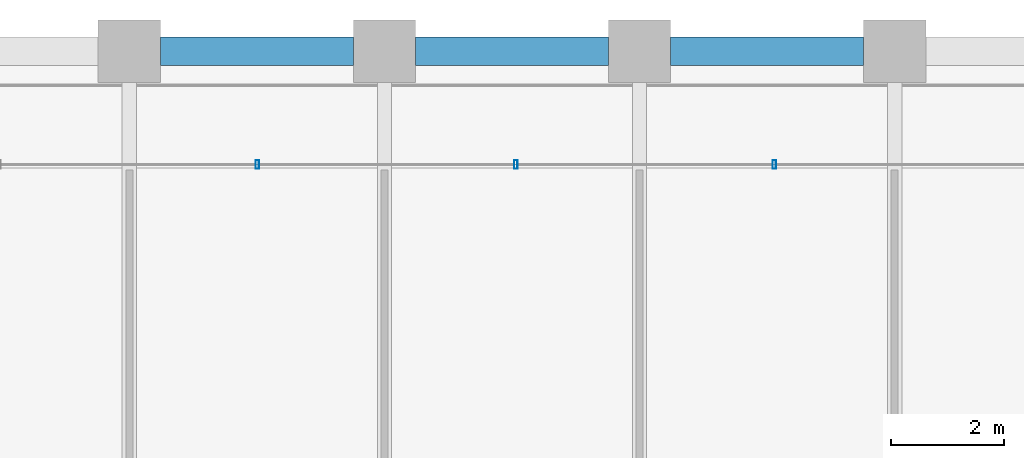
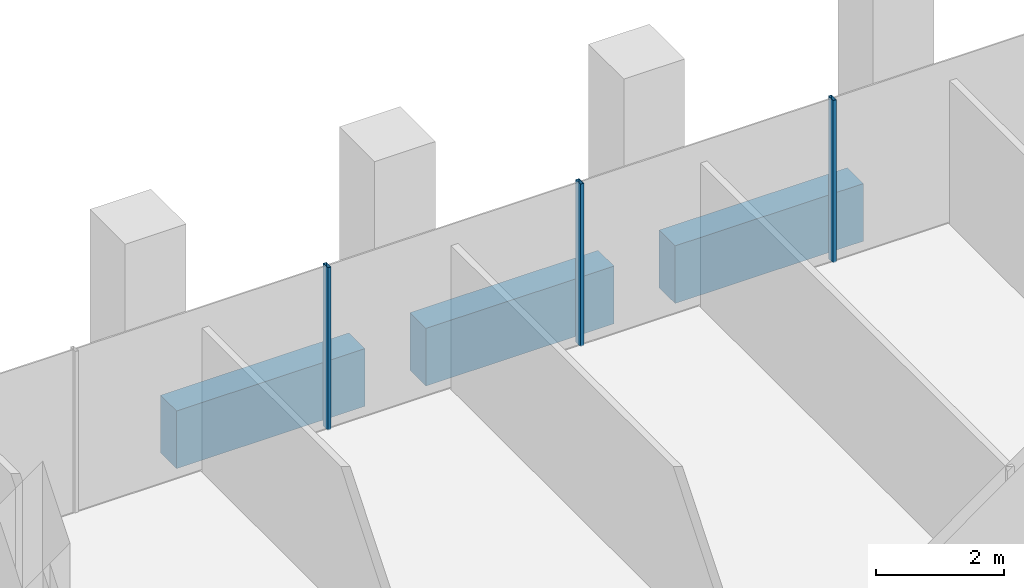
# One storey, part 29 of 56: 3 beams, 3 members, 1 element without a shape of its own.
"""IFC4 building model written with IfcOpenShell, lengths in metres."""

from ifc_helpers import new_model, si_unit, direction, frame, origin, origin_2d, place, context, subcontext, project, spatial, rectangle, hollow_rectangle, extrude, material, material_profile, profile_set, type_object, element, aggregate, save


model = new_model("IFC4")

# Units and contexts
model_context = context("Model", 3, precision=1e-05, world=origin(), true_north=direction((0.0, 1.0)))
body_context = subcontext(model_context, "Body", "Model", "MODEL_VIEW")
ifc_project = project(units=[si_unit("LENGTHUNIT", "METRE"), si_unit("AREAUNIT", "SQUARE_METRE"), si_unit("VOLUMEUNIT", "CUBIC_METRE"), si_unit("PLANEANGLEUNIT", "RADIAN"), si_unit("MASSUNIT", "GRAM", prefix="KILO")], contexts=[model_context])

# Site, building, storey
site_placement = place(None, origin())
site = spatial("IfcSite", under=ifc_project, at=site_placement, CompositionType="ELEMENT")
building_placement = place(site_placement, origin())
building = spatial("IfcBuilding", under=site, at=building_placement, Name="Altepetl Exchange Towers", CompositionType="ELEMENT")
storey_placement = place(building_placement, frame((0.0, 0.0, 69.0)))
storey = spatial("IfcBuildingStorey", under=building, at=storey_placement, Name="L16", CompositionType="ELEMENT", Elevation=69.0)

# Curtain wall, members
ifc_material_1 = material(Name="Aluminium 6063-T6 glazing", Category="aluminium")
curtain_wall_type = type_object("IfcCurtainWallType", Name="Loggia glazing system", PredefinedType="NOTDEFINED", material=ifc_material_1)
curtain_wall_placement = place(storey_placement, origin())
curtain_wall = element("IfcCurtainWall", 1, at=curtain_wall_placement, inside=storey, type_object=curtain_wall_type, Name="CW1 run", PredefinedType="NOTDEFINED")
ifc_material_2 = material(Name="Aluminium 6063-T6", Category="aluminium")
ifc_material_profile_1 = material_profile(ifc_material_2, hollow_rectangle(XDim=0.06005859375, YDim=0.14990234375, WallThickness=0.0029296875, at=origin_2d()), Name="Mullion 60x150 aluminium")
ifc_profile_set_1 = profile_set([ifc_material_profile_1], Name="Aluminium 6063-T6")
member_type = type_object("IfcMemberType", Name="Mullion 60x150 aluminium", PredefinedType="MULLION", material=ifc_profile_set_1)
member_1_placement = place(storey_placement, frame((56.378662109375, 70.0, 0.0), z_axis=(0.0, 0.0, 1.0), x_axis=(-1.0, 0.0, 0.0)))
member_1 = element("IfcMember", 2, at=member_1_placement, type_object=member_type, Name="MU1 mullion", PredefinedType="MULLION", context=body_context, shape_type="SweptSolid", body=[
    extrude(hollow_rectangle(XDim=0.06005859375, YDim=0.14990234375, WallThickness=0.0029296875, at=origin_2d()), origin(), (0.0, 0.0, 1.0), 3.10009765625),
])
member_2_placement = place(storey_placement, frame((51.81787109375, 70.0, 0.0), z_axis=(0.0, 0.0, 1.0), x_axis=(-1.0, 0.0, 0.0)))
member_2 = element("IfcMember", 3, at=member_2_placement, type_object=member_type, Name="MU1 mullion", PredefinedType="MULLION", context=body_context, shape_type="SweptSolid", body=[
    extrude(hollow_rectangle(XDim=0.06005859375, YDim=0.14990234375, WallThickness=0.0029296875, at=origin_2d()), origin(), (0.0, 0.0, 1.0), 3.10009765625),
])
member_3_placement = place(storey_placement, frame((47.257080078125, 70.0, 0.0), z_axis=(0.0, 0.0, 1.0), x_axis=(-1.0, 0.0, 0.0)))
member_3 = element("IfcMember", 4, at=member_3_placement, type_object=member_type, Name="MU1 mullion", PredefinedType="MULLION", context=body_context, shape_type="SweptSolid", body=[
    extrude(hollow_rectangle(XDim=0.06005859375, YDim=0.14990234375, WallThickness=0.0029296875, at=origin_2d()), origin(), (0.0, 0.0, 1.0), 3.10009765625),
])
aggregate(curtain_wall, [member_1, member_2, member_3])

# Beams
ifc_material_3 = material(Name="Concrete C50/60 precast with cantera rosa facing", Category="concrete")
ifc_material_profile_2 = material_profile(ifc_material_3, rectangle(XDim=0.5, YDim=1.10009765625, at=origin_2d()), Name="500 x 1100")
ifc_profile_set_2 = profile_set([ifc_material_profile_2], Name="Concrete C50/60 precast with cantera rosa facing")
beam_type = type_object("IfcBeamType", Name="Spandrel beam 500x1100 cantera rosa", PredefinedType="SPANDREL", material=ifc_profile_set_2)
for number, where, z_axis, x_axis, name in (
    (5, (57.949951171875, 72.0, -0.699951171875), (-1.0, 0.0, 0.0), (0.0, -1.0, 0.0), "sp:A:L16:026"),
    (6, (53.449951171875, 72.0, -0.699951171875), (-1.0, 0.0, 0.0), (0.0, -1.0, 0.0), "sp:A:L16:027"),
    (7, (48.949951171875, 72.0, -0.699951171875), (-1.0, 0.0, 0.0), (0.0, -1.0, 0.0), "sp:A:L16:028"),
):
    element("IfcBeam", number, at=place(storey_placement, frame(where, z_axis=z_axis, x_axis=x_axis)), inside=storey, type_object=beam_type, Name=name, PredefinedType="SPANDREL", context=body_context, shape_type="SweptSolid", body=[
        extrude(rectangle(XDim=0.5, YDim=1.10009765625, at=origin_2d()), origin(), (0.0, 0.0, 1.0), 3.39990234375),
    ])

save(model, "model.ifc")
